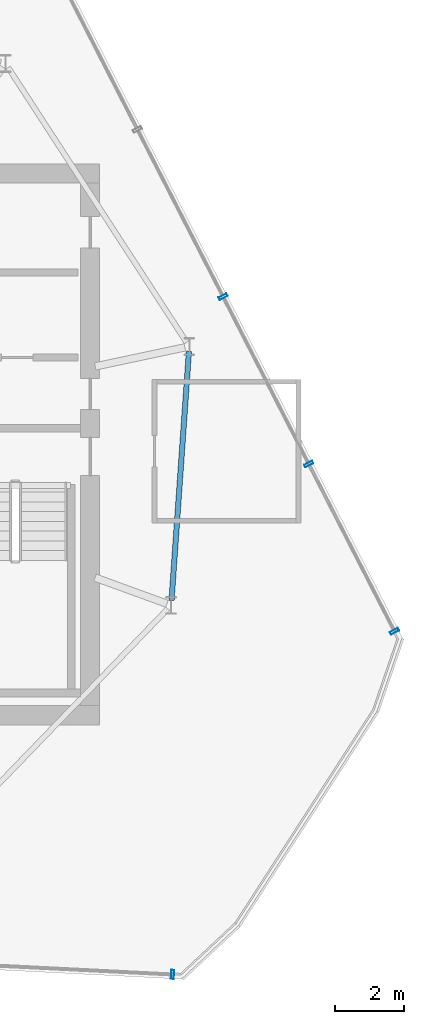
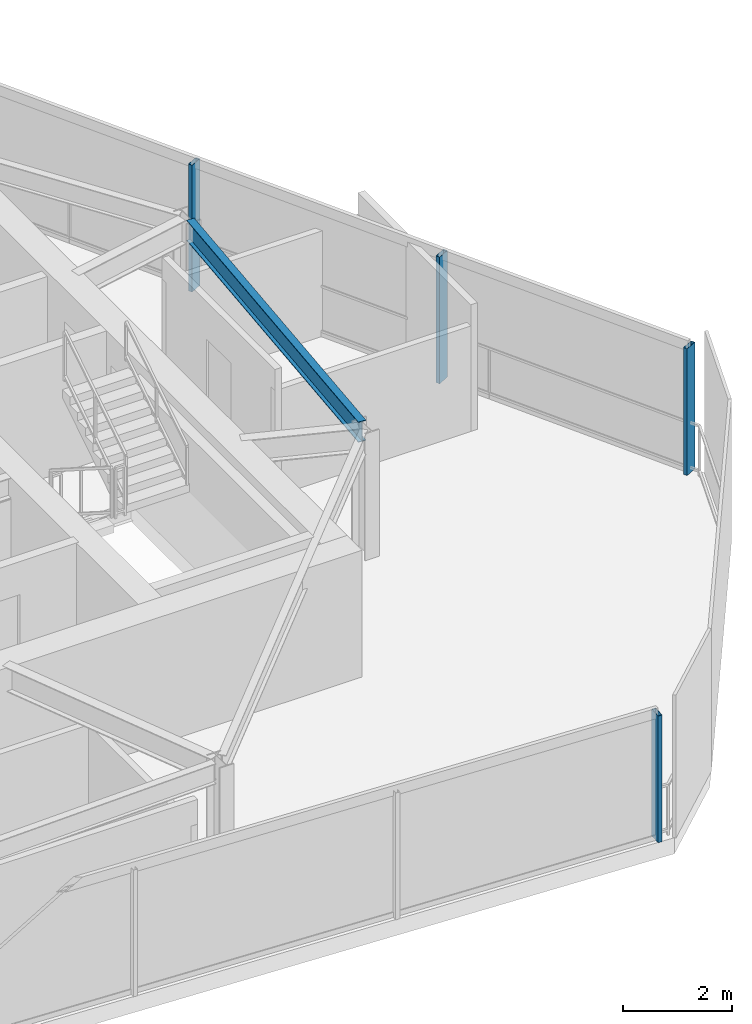
# One storey, part 10 of 16: 4 members, 1 beam, 2 elements without a shape of their own.
"""IFC4 building model written with IfcOpenShell, lengths in metres."""

import ifcopenshell
import ifcopenshell.guid

model = None  # the IFC model being written
_history = None  # IfcOwnerHistory: only IFC2X3 demands one
_inside = {}  # id of a spatial element -> (the spatial element, [elements in it])
_under = {}  # id of a project, library or spatial element -> (it, [spatial elements below it])
_declared = {}  # id of a project -> (the project, [libraries it declares])
_typed = {}  # id of a type object -> (the type object, [elements of that type])
_made_of = {}  # id of a material, layer set ... -> (it, [elements and type objects made of it])


def new_model(schema):
    """Start an empty IFC model of exactly this schema.

    Asked for "IFC4X3", IfcOpenShell would pick the latest addendum, in which some entities
    have other attributes; the version numbers below select the first issue.
    IFC2X3 requires an IfcOwnerHistory on every rooted entity: one is made here for all.
    """
    global model, _history
    if schema == "IFC4X3":
        model = ifcopenshell.file(schema_version=(4, 3, 0, 0))
    else:
        model = ifcopenshell.file(schema=schema)
    _inside.clear()
    _under.clear()
    _declared.clear()
    _typed.clear()
    _made_of.clear()
    _history = None
    if model.schema == "IFC2X3":
        org = make("IfcOrganization", Name="unknown")
        user = make(
            "IfcPersonAndOrganization",
            ThePerson=make("IfcPerson", FamilyName="unknown"),
            TheOrganization=org,
        )
        app = make(
            "IfcApplication",
            ApplicationDeveloper=org,
            Version="unknown",
            ApplicationFullName="unknown",
            ApplicationIdentifier="unknown",
        )
        _history = make(
            "IfcOwnerHistory",
            OwningUser=user,
            OwningApplication=app,
            ChangeAction="ADDED",
            CreationDate=0,
        )
    return model


def make(cls, **values):
    """One entity of the class cls with the attributes given. An attribute that is None is left unset."""
    return model.create_entity(
        cls, **{name: value for name, value in values.items() if value is not None}
    )


def rooted(cls, **values):
    """An entity with a GlobalId (a new one), such as an element, a storey or a relation."""
    return make(cls, GlobalId=ifcopenshell.guid.new(), OwnerHistory=_history, **values)


def si_unit(unit_type, name, prefix=None):
    """IfcSIUnit, for example si_unit("LENGTHUNIT", "METRE", prefix="MILLI")."""
    return make("IfcSIUnit", UnitType=unit_type, Prefix=prefix, Name=name)


def assignment(units):
    """IfcUnitAssignment: the units of a project."""
    return None if units is None else make("IfcUnitAssignment", Units=units)


def point(xyz):
    """IfcCartesianPoint."""
    return None if xyz is None else make("IfcCartesianPoint", Coordinates=xyz)


def direction(xyz):
    """IfcDirection."""
    return None if xyz is None else make("IfcDirection", DirectionRatios=xyz)


def frame(location, z_axis=None, x_axis=None):
    """IfcAxis2Placement3D, a coordinate frame: its origin and axes. An axis left out is left unset."""
    return make(
        "IfcAxis2Placement3D",
        Location=point(location),
        Axis=direction(z_axis),
        RefDirection=direction(x_axis),
    )


def frame_2d(location, x_axis=None):
    """IfcAxis2Placement2D, a coordinate frame in the plane: its origin and x axis."""
    return make(
        "IfcAxis2Placement2D", Location=point(location), RefDirection=direction(x_axis)
    )


def origin():
    """The frame at (0, 0, 0) with its axes left unset."""
    return frame((0.0, 0.0, 0.0))


def origin_2d():
    """The frame at (0, 0) in the plane with its x axis left unset."""
    return frame_2d((0.0, 0.0))


def place(relative_to, where):
    """IfcLocalPlacement: puts the frame where relative to a parent placement (None: the world)."""
    return make(
        "IfcLocalPlacement", PlacementRelTo=relative_to, RelativePlacement=where
    )


def context(
    kind, dimensions, precision=None, world=None, true_north=None, identifier=None
):
    """IfcGeometricRepresentationContext, for example the 3D "Model" context."""
    return make(
        "IfcGeometricRepresentationContext",
        ContextIdentifier=identifier,
        ContextType=kind,
        CoordinateSpaceDimension=dimensions,
        Precision=precision,
        WorldCoordinateSystem=world,
        TrueNorth=true_north,
    )


def subcontext(parent, identifier, kind, view, scale=None):
    """IfcGeometricRepresentationSubContext, for example "Body" below "Model"."""
    return make(
        "IfcGeometricRepresentationSubContext",
        ContextIdentifier=identifier,
        ContextType=kind,
        ParentContext=parent,
        TargetScale=scale,
        TargetView=view,
    )


def project(units=None, contexts=None):
    """IfcProject with its units and contexts."""
    return rooted(
        "IfcProject",
        Name="project",
        RepresentationContexts=contexts,
        UnitsInContext=assignment(units),
    )


def spatial(cls, under=None, at=None, **own):
    """A site, building, storey or space (cls), placed at a placement, below another one or the project."""
    s = rooted(cls, ObjectPlacement=at, **own)
    if under is not None:
        _under.setdefault(under.id(), (under, []))[1].append(s)
    return s


def profile(cls, at=None, kind="AREA", **sizes):
    """A parametric profile (cls). Its sizes go by their IFC names, for example OverallWidth=200.0."""
    return make(cls, ProfileType=kind, Position=at, **sizes)


def hollow_rectangle(**sizes):
    """IfcRectangleHollowProfileDef."""
    return profile("IfcRectangleHollowProfileDef", **sizes)


def i_section(**sizes):
    """IfcIShapeProfileDef."""
    return profile("IfcIShapeProfileDef", **sizes)


def extrude(swept, where, along, depth):
    """IfcExtrudedAreaSolid: the profile swept, set in the frame where, extruded along a direction by depth."""
    return make(
        "IfcExtrudedAreaSolid",
        SweptArea=swept,
        Position=where,
        ExtrudedDirection=direction(along),
        Depth=depth,
    )


def shape(context_of_items, identifier, shape_type, items):
    """IfcShapeRepresentation: the items that make up one representation, for example the "Body"."""
    return make(
        "IfcShapeRepresentation",
        ContextOfItems=context_of_items,
        RepresentationIdentifier=identifier,
        RepresentationType=shape_type,
        Items=items,
    )


def material(Name=None, Category=None):
    """IfcMaterial."""
    return make("IfcMaterial", Name=Name, Category=Category)


def layer(
    of_material, thickness, ventilated=None, Name=None, Category=None, Priority=None
):
    """IfcMaterialLayer: one layer of a wall or slab, of a material (None: an air gap)."""
    return make(
        "IfcMaterialLayer",
        Material=of_material,
        LayerThickness=thickness,
        IsVentilated=ventilated,
        Name=Name,
        Category=Category,
        Priority=Priority,
    )


def layer_set(layers, Name=None):
    """IfcMaterialLayerSet."""
    return make("IfcMaterialLayerSet", MaterialLayers=layers, LayerSetName=Name)


def material_profile(
    of_material, cross_section, Name=None, Category=None, Priority=None
):
    """IfcMaterialProfile: a cross section and its material."""
    return make(
        "IfcMaterialProfile",
        Name=Name,
        Material=of_material,
        Profile=cross_section,
        Priority=Priority,
        Category=Category,
    )


def profile_set(profiles, Name=None, composite=None):
    """IfcMaterialProfileSet."""
    return make(
        "IfcMaterialProfileSet",
        Name=Name,
        MaterialProfiles=profiles,
        CompositeProfile=composite,
    )


def made_of(thing, what):
    """Note that an element or type object is made of a material, layer set ...; save() writes the relation."""
    if what is not None:
        _made_of.setdefault(what.id(), (what, []))[1].append(thing)
    return thing


def type_object(cls, material=None, **own):
    """A type object (cls), such as IfcWallType, which elements share."""
    return made_of(rooted(cls, **own), material)


def element(
    cls,
    number,
    at=None,
    inside=None,
    cuts=None,
    type_object=None,
    material=None,
    context=None,
    identifier="Body",
    shape_type=None,
    held_by="IfcProductDefinitionShape",
    body=None,
    shapes=None,
    **own,
):
    """One element of the class cls, such as IfcWall. Its Tag is "e" and its number.

    at: its placement. inside: the storey or other place that contains it. cuts: it is an
    opening in that element (IfcRelVoidsElement). A single representation is given by context,
    identifier, shape_type and body (its items); several are given by shapes. held_by: the class
    of the entity that holds the representations. save() writes the other relations.
    """
    e = rooted(cls, Tag="e%d" % number, ObjectPlacement=at, **own)
    if body is not None:
        shapes = [shape(context, identifier, shape_type, body)]
    if shapes is not None:
        e.Representation = make(held_by, Representations=shapes)
    if inside is not None:
        _inside.setdefault(inside.id(), (inside, []))[1].append(e)
    if cuts is not None:
        rooted(
            "IfcRelVoidsElement", RelatingBuildingElement=cuts, RelatedOpeningElement=e
        )
    if type_object is not None:
        _typed.setdefault(type_object.id(), (type_object, []))[1].append(e)
    return made_of(e, material)


def aggregate(whole, parts):
    """IfcRelAggregates: a whole, such as a stair, and the parts it consists of."""
    return rooted("IfcRelAggregates", RelatingObject=whole, RelatedObjects=parts)


def save(model, path):
    """Write the relations noted so far, then the file.

    IfcRelAggregates (storeys below a building ...), IfcRelContainedInSpatialStructure (elements
    in a storey), IfcRelDefinesByType, IfcRelAssociatesMaterial and IfcRelDeclares: one each for
    every whole, place, type object, material and project.
    """
    for whole, parts in _under.values():
        aggregate(whole, parts)
    for where, things in _inside.values():
        rooted(
            "IfcRelContainedInSpatialStructure",
            RelatedElements=things,
            RelatingStructure=where,
        )
    for kind, things in _typed.values():
        rooted("IfcRelDefinesByType", RelatedObjects=things, RelatingType=kind)
    for what, things in _made_of.values():
        rooted("IfcRelAssociatesMaterial", RelatedObjects=things, RelatingMaterial=what)
    for by, libraries in _declared.values():
        rooted("IfcRelDeclares", RelatingContext=by, RelatedDefinitions=libraries)
    model.write(path)


model = new_model("IFC4")

# Units and contexts
model_context = context("Model", 3, precision=1e-05, world=origin(), true_north=direction((0.0, 1.0)))
body_context = subcontext(model_context, "Body", "Model", "MODEL_VIEW")
ifc_project = project(units=[si_unit("LENGTHUNIT", "METRE"), si_unit("AREAUNIT", "SQUARE_METRE"), si_unit("VOLUMEUNIT", "CUBIC_METRE"), si_unit("PLANEANGLEUNIT", "RADIAN"), si_unit("MASSUNIT", "GRAM", prefix="KILO")], contexts=[model_context])

# Site, building, storey
site_placement = place(None, origin())
site = spatial("IfcSite", under=ifc_project, at=site_placement, CompositionType="ELEMENT")
building_placement = place(site_placement, origin())
building = spatial("IfcBuilding", under=site, at=building_placement, Name="Qarnah Convention Tower", CompositionType="ELEMENT")
storey_placement = place(building_placement, frame((0.0, 0.0, 283.5)))
storey = spatial("IfcBuildingStorey", under=building, at=storey_placement, Name="L76", CompositionType="ELEMENT", Elevation=283.5)

# Beam
ifc_material_1 = material(Name="Structural steel S355JR", Category="steel")
ifc_material_profile_1 = material_profile(ifc_material_1, i_section(OverallWidth=0.154052734375, OverallDepth=0.4599609375, WebThickness=0.009033203125, FlangeThickness=0.014892578125, at=origin_2d()), Name="W460X68")
ifc_profile_set_1 = profile_set([ifc_material_profile_1], Name="Structural steel S355JR")
beam_type = type_object("IfcBeamType", Name="BM-SPN-W460B", PredefinedType="SPANDREL", material=ifc_profile_set_1)
beam_placement = place(storey_placement, frame((49.943115234375, 21.906005859375, 2.610107421875), z_axis=(0.069692584583, 0.997568515769, 0.0), x_axis=(-0.997568515769, 0.069692584583, 0.0)))
element("IfcBeam", 1, at=beam_placement, inside=storey, type_object=beam_type, Name="L76 spandrel BM-L76-SPN-09", PredefinedType="SPANDREL", context=body_context, shape_type="SweptSolid", body=[
    extrude(i_section(OverallWidth=0.154052734375, OverallDepth=0.4599609375, WebThickness=0.009033203125, FlangeThickness=0.014892578125, at=origin_2d()), origin(), (0.0, 0.0, 1.0), 7.1884765625),
])

# Curtain wall, members
ifc_material_2 = material(Name="Tempered Low-E dark glass", Category="glass")
ifc_layer = layer(ifc_material_2, 0.177978515625)
ifc_layer_set = layer_set([ifc_layer], Name="Tempered Low-E dark glass")
curtain_wall_type = type_object("IfcCurtainWallType", Name="CWS-06", PredefinedType="NOTDEFINED", material=ifc_layer_set)
curtain_wall_1_placement = place(storey_placement, origin())
curtain_wall_1 = element("IfcCurtainWall", 2, at=curtain_wall_1_placement, inside=storey, type_object=curtain_wall_type, Name="L76 unitised curtain wall CW-L76-F1", PredefinedType="NOTDEFINED")
ifc_material_3 = material(Name="Black anodised aluminium", Category="aluminium")
ifc_material_profile_2 = material_profile(ifc_material_3, hollow_rectangle(XDim=0.0849609375, YDim=0.260009765625, WallThickness=0.006103515625, at=origin_2d()), Name="MUL-85X260")
ifc_profile_set_2 = profile_set([ifc_material_profile_2], Name="Black anodised aluminium")
member_type = type_object("IfcMemberType", Name="MUL-T6", PredefinedType="MULLION", material=ifc_profile_set_2)
member_1_placement = place(storey_placement, frame((51.427490234375, 30.6474609375, 0.0), z_axis=(0.0, 0.0, 1.0), x_axis=(0.455858014655, -0.890052509954, 0.0)))
member_1 = element("IfcMember", 3, at=member_1_placement, type_object=member_type, Name="CW-L76-F1 mullion 4", PredefinedType="MULLION", context=body_context, shape_type="SweptSolid", body=[
    extrude(hollow_rectangle(XDim=0.0849609375, YDim=0.260009765625, WallThickness=0.006103515625, at=origin_2d()), origin(), (0.0, 0.0, 1.0), 2.840087890625),
])
member_2_placement = place(storey_placement, frame((53.893798828125, 25.832275390625, 0.0), z_axis=(0.0, 0.0, 1.0), x_axis=(0.455858014655, -0.890052509954, 0.0)))
member_2 = element("IfcMember", 4, at=member_2_placement, type_object=member_type, Name="CW-L76-F1 mullion 5", PredefinedType="MULLION", context=body_context, shape_type="SweptSolid", body=[
    extrude(hollow_rectangle(XDim=0.0849609375, YDim=0.260009765625, WallThickness=0.006103515625, at=origin_2d()), origin(), (0.0, 0.0, 1.0), 2.840087890625),
])
member_3_placement = place(storey_placement, frame((56.360107421875, 21.01708984375, 0.0), z_axis=(0.0, 0.0, 1.0), x_axis=(0.455858014655, -0.890052509954, 0.0)))
member_3 = element("IfcMember", 5, at=member_3_placement, type_object=member_type, Name="CW-L76-F1 mullion 6", PredefinedType="MULLION", context=body_context, shape_type="SweptSolid", body=[
    extrude(hollow_rectangle(XDim=0.0849609375, YDim=0.260009765625, WallThickness=0.006103515625, at=origin_2d()), origin(), (0.0, 0.0, 1.0), 2.840087890625),
])
aggregate(curtain_wall_1, [member_1, member_2, member_3])

# Curtain wall, member
curtain_wall_2_placement = place(storey_placement, origin())
curtain_wall_2 = element("IfcCurtainWall", 6, at=curtain_wall_2_placement, inside=storey, type_object=curtain_wall_type, Name="L76 unitised curtain wall CW-L76-F2", PredefinedType="NOTDEFINED")
member_4_placement = place(storey_placement, frame((49.97412109375, 11.138916015625, 0.0), z_axis=(0.0, 0.0, 1.0), x_axis=(-0.99873708025, 0.050241860374, 0.0)))
member_4 = element("IfcMember", 7, at=member_4_placement, type_object=member_type, Name="CW-L76-F2 mullion 1", PredefinedType="MULLION", context=body_context, shape_type="SweptSolid", body=[
    extrude(hollow_rectangle(XDim=0.0849609375, YDim=0.260009765625, WallThickness=0.006103515625, at=origin_2d()), origin(), (0.0, 0.0, 1.0), 2.840087890625),
])
aggregate(curtain_wall_2, [member_4])

save(model, "model.ifc")
